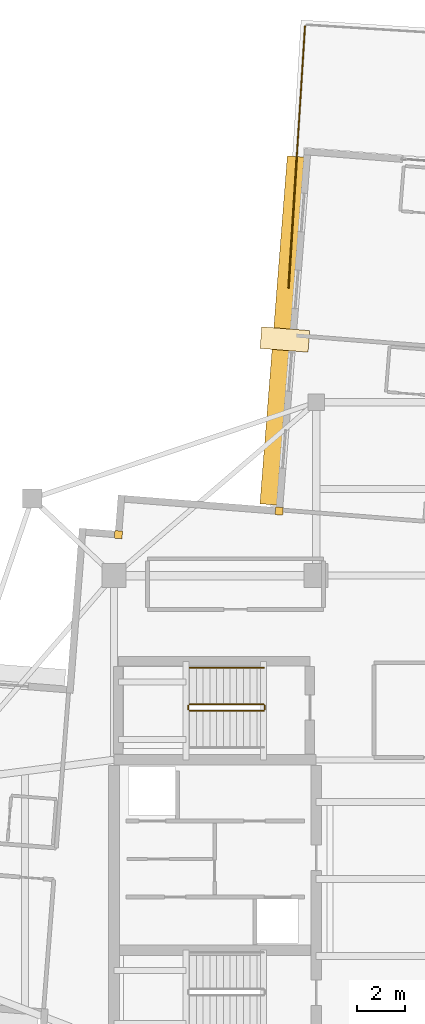
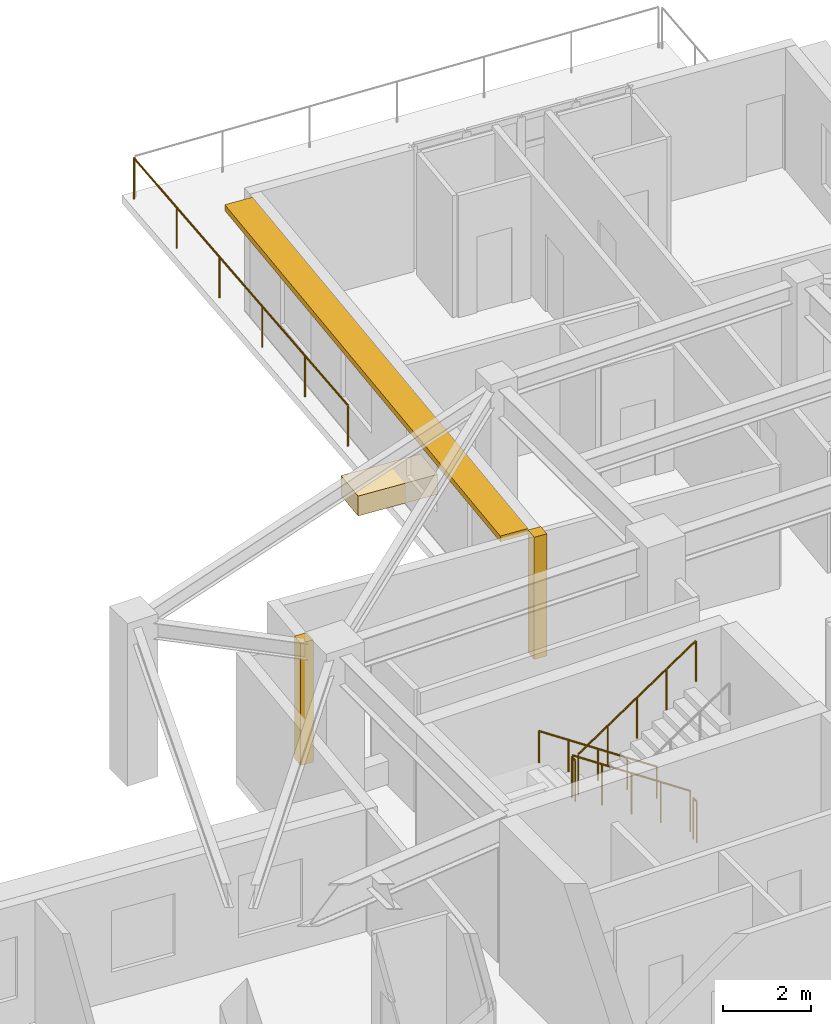
# One storey, part 22 of 23: 6 railings, 3 coverings, 1 shading device.
"""IFC4 building model written with IfcOpenShell, lengths in metres."""

from ifc_helpers import new_model, si_unit, direction, frame, origin, origin_2d, place, context, subcontext, project, spatial, rectangle, circle, extrude, material, layer, layer_set, type_object, element, save


model = new_model("IFC4")

# Units and contexts
model_context = context("Model", 3, precision=1e-05, world=origin(), true_north=direction((0.0, 1.0)))
body_context = subcontext(model_context, "Body", "Model", "MODEL_VIEW")
ifc_project = project(units=[si_unit("LENGTHUNIT", "METRE"), si_unit("AREAUNIT", "SQUARE_METRE"), si_unit("VOLUMEUNIT", "CUBIC_METRE"), si_unit("PLANEANGLEUNIT", "RADIAN"), si_unit("MASSUNIT", "GRAM", prefix="KILO")], contexts=[model_context])

# Site, building, storey
site_placement = place(None, origin())
site = spatial("IfcSite", under=ifc_project, at=site_placement, CompositionType="ELEMENT")
building_placement = place(site_placement, origin())
building = spatial("IfcBuilding", under=site, at=building_placement, Name="Qingluan Cross Belvedere", CompositionType="ELEMENT")
storey_placement = place(building_placement, frame((0.0, 0.0, 245.39990234375)))
storey = spatial("IfcBuildingStorey", under=building, at=storey_placement, Name="L61", CompositionType="ELEMENT", Elevation=245.39990234375)

# Coverings
ifc_material_1 = material(Name="Precast concrete C45", Category="concrete")
ifc_layer_1 = layer(ifc_material_1, 0.1201171875, Name="ConcreteSpandrelCladding_120")
ifc_layer_set_1 = layer_set([ifc_layer_1], Name="Precast concrete C45")
covering_type_1 = type_object("IfcCoveringType", Name="ConcreteSpandrelCladding_120", PredefinedType="CLADDING", material=ifc_layer_set_1)
for number, where, z_axis, x_axis, name in (
    (1, (-12.215576171875, 14.302490234375, 0.000244140625), (0.0, 0.0, 1.0), (0.996917333733, -0.078459095728, 0.0), "Corner closure L61-NW1"),
    (2, (-5.5380859375, 15.281494140625, 0.000244140625), (0.0, 0.0, 1.0), (0.996917333733, -0.078459095728, 0.0), "Corner closure L61-NW2"),
):
    element("IfcCovering", number, at=place(storey_placement, frame(where, z_axis=z_axis, x_axis=x_axis)), inside=storey, type_object=covering_type_1, Name=name, PredefinedType="CLADDING", context=body_context, shape_type="SweptSolid", body=[
        extrude(rectangle(XDim=0.320068359375, YDim=0.320068359375, at=origin_2d()), origin(), (0.0, 0.0, 1.0), 3.3798828125),
    ])

# Shading device
ifc_material_2 = material(Name="Precast concrete C45", Category="concrete")
ifc_layer_2 = layer(ifc_material_2, 0.139892578125, Name="ConcreteSunshadeBand_700")
ifc_layer_set_2 = layer_set([ifc_layer_2], Name="Precast concrete C45")
shading_device_type = type_object("IfcShadingDeviceType", Name="ConcreteSunshadeBand_700", PredefinedType="USERDEFINED", material=ifc_layer_set_2)
shading_device_placement = place(storey_placement, frame((-5.4189453125, 22.785400390625, 3.2001953125), z_axis=(0.0, 0.0, 1.0), x_axis=(-0.078455721862, -0.996917599256, 0.0)))
element("IfcShadingDevice", 3, at=shading_device_placement, inside=storey, type_object=shading_device_type, Name="Concrete SUNSHADE L61-NB", ObjectType="SUNSHADE", PredefinedType="USERDEFINED", context=body_context, shape_type="SweptSolid", body=[
    extrude(rectangle(XDim=14.5, YDim=0.699951171875, at=origin_2d()), origin(), (0.0, 0.0, 1.0), 0.159912109375),
])

# Railings
ifc_material_3 = material(Name="Brushed stainless steel tubular handrail", Category="steel")
railing_type_1 = type_object("IfcRailingType", Name="StairPitchHandrail_900", PredefinedType="HANDRAIL", material=ifc_material_3)
railing_1_placement = place(storey_placement, frame((-6.179931640625, 8.77001953125, 0.1875)))
element("IfcRailing", 4, at=railing_1_placement, inside=storey, type_object=railing_type_1, Name="L61 ST3 stair handrail 1", PredefinedType="HANDRAIL", context=body_context, shape_type="SweptSolid", body=[
    extrude(circle(Radius=0.02392578125, at=origin_2d()), frame((0.0, 0.0, 0.8759765625), z_axis=(-0.830913701846, 0.0, 0.55640131208), x_axis=(0.0, -1.0, 0.0)), (0.0, 0.0, 1.0), 3.706787109375),
    extrude(circle(Radius=0.02099609375, at=origin_2d()), origin(), (0.0, 0.0, 1.0), 0.851806640625),
    extrude(circle(Radius=0.02099609375, at=origin_2d()), frame((-0.77001953125, 0.0, 0.515625)), (0.0, 0.0, 1.0), 0.851806640625),
    extrude(circle(Radius=0.02099609375, at=origin_2d()), frame((-1.5400390625, 0.0, 1.03125)), (0.0, 0.0, 1.0), 0.851806640625),
    extrude(circle(Radius=0.02099609375, at=origin_2d()), frame((-2.31005859375, 0.0, 1.546875)), (0.0, 0.0, 1.0), 0.851806640625),
    extrude(circle(Radius=0.02099609375, at=origin_2d()), frame((-3.080078125, 0.0, 2.0625)), (0.0, 0.0, 1.0), 0.851806640625),
])
ifc_material_4 = material(Name="Painted steel stair well guard", Category="steel")
railing_type_2 = type_object("IfcRailingType", Name="StairWellGuard_1150", PredefinedType="BALUSTRADE", material=ifc_material_4)
railing_2_placement = place(storey_placement, frame((-6.179931640625, 7.25, 0.1875)))
element("IfcRailing", 5, at=railing_2_placement, inside=storey, type_object=railing_type_2, Name="L61 ST3 stair guard 1", PredefinedType="BALUSTRADE", context=body_context, shape_type="SweptSolid", body=[
    extrude(circle(Radius=0.02392578125, at=origin_2d()), frame((0.0, 0.0, 1.1259765625), z_axis=(-0.830913701846, 0.0, 0.55640131208), x_axis=(0.0, -1.0, 0.0)), (0.0, 0.0, 1.0), 3.706787109375),
    extrude(circle(Radius=0.02099609375, at=origin_2d()), origin(), (0.0, 0.0, 1.0), 1.101806640625),
    extrude(circle(Radius=0.02099609375, at=origin_2d()), frame((-0.77001953125, 0.0, 0.515625)), (0.0, 0.0, 1.0), 1.101806640625),
    extrude(circle(Radius=0.02099609375, at=origin_2d()), frame((-1.5400390625, 0.0, 1.03125)), (0.0, 0.0, 1.0), 1.101806640625),
    extrude(circle(Radius=0.02099609375, at=origin_2d()), frame((-2.31005859375, 0.0, 1.546875)), (0.0, 0.0, 1.0), 1.101806640625),
    extrude(circle(Radius=0.02099609375, at=origin_2d()), frame((-3.080078125, 0.0, 2.0625)), (0.0, 0.0, 1.0), 1.101806640625),
])
railing_3_placement = place(storey_placement, frame((-9.31005859375, 7.199951171875, 2.25)))
element("IfcRailing", 6, at=railing_3_placement, inside=storey, type_object=railing_type_2, Name="L61 ST3 stair guard 2", PredefinedType="BALUSTRADE", context=body_context, shape_type="SweptSolid", body=[
    extrude(circle(Radius=0.02392578125, at=origin_2d()), frame((0.0, 0.0, 1.1259765625), z_axis=(0.0, -1.0, 0.0), x_axis=(1.0, 0.0, 0.0)), (0.0, 0.0, 1.0), 0.159912109375),
    extrude(circle(Radius=0.02099609375, at=origin_2d()), origin(), (0.0, 0.0, 1.0), 1.101806640625),
    extrude(circle(Radius=0.02099609375, at=origin_2d()), frame((0.0, -0.159912109375, 0.0)), (0.0, 0.0, 1.0), 1.101806640625),
])
railing_4_placement = place(storey_placement, frame((-9.260009765625, 6.989990234375, 2.4375)))
element("IfcRailing", 7, at=railing_4_placement, inside=storey, type_object=railing_type_2, Name="L61 ST3 stair guard 3", PredefinedType="BALUSTRADE", context=body_context, shape_type="SweptSolid", body=[
    extrude(circle(Radius=0.02392578125, at=origin_2d()), frame((0.0, 0.0, 1.1259765625), z_axis=(0.830913701846, 0.0, 0.55640131208), x_axis=(0.0, 1.0, 0.0)), (0.0, 0.0, 1.0), 3.706787109375),
    extrude(circle(Radius=0.02099609375, at=origin_2d()), origin(), (0.0, 0.0, 1.0), 1.101806640625),
    extrude(circle(Radius=0.02099609375, at=origin_2d()), frame((0.77001953125, 0.0, 0.515625)), (0.0, 0.0, 1.0), 1.101806640625),
    extrude(circle(Radius=0.02099609375, at=origin_2d()), frame((1.5400390625, 0.0, 1.03125)), (0.0, 0.0, 1.0), 1.101806640625),
    extrude(circle(Radius=0.02099609375, at=origin_2d()), frame((2.31005859375, 0.0, 1.546875)), (0.0, 0.0, 1.0), 1.101806640625),
    extrude(circle(Radius=0.02099609375, at=origin_2d()), frame((3.080078125, 0.0, 2.0625)), (0.0, 0.0, 1.0), 1.101806640625),
])
railing_5_placement = place(storey_placement, frame((-6.1298828125, 7.199951171875, 0.0)))
element("IfcRailing", 8, at=railing_5_placement, inside=storey, type_object=railing_type_2, Name="L61 ST3 stair guard 4", PredefinedType="BALUSTRADE", context=body_context, shape_type="SweptSolid", body=[
    extrude(circle(Radius=0.02392578125, at=origin_2d()), frame((0.0, 0.0, 1.1259765625), z_axis=(0.0, -1.0, 0.0), x_axis=(1.0, 0.0, 0.0)), (0.0, 0.0, 1.0), 0.159912109375),
    extrude(circle(Radius=0.02099609375, at=origin_2d()), origin(), (0.0, 0.0, 1.0), 1.101806640625),
    extrude(circle(Radius=0.02099609375, at=origin_2d()), frame((0.0, -0.159912109375, 0.0)), (0.0, 0.0, 1.0), 1.101806640625),
])
ifc_material_5 = material(Name="Laminated glass and stainless steel balustrade", Category="steel")
railing_type_3 = type_object("IfcRailingType", Name="TerraceGuardBalustrade_1150", PredefinedType="BALUSTRADE", material=ifc_material_5)
railing_6_placement = place(storey_placement, frame((-5.148681640625, 24.548828125, 0.0)))
element("IfcRailing", 9, at=railing_6_placement, inside=storey, type_object=railing_type_3, Name="Terrace guard L61-1", PredefinedType="BALUSTRADE", context=body_context, shape_type="SweptSolid", body=[
    extrude(circle(Radius=0.02392578125, at=origin_2d()), frame((0.0, 0.0, 1.1259765625), z_axis=(0.062788139251, 0.99802687818, 0.0), x_axis=(-0.99802687818, 0.062788139251, 0.0)), (0.0, 0.0, 1.0), 10.90283203125),
    extrude(circle(Radius=0.02099609375, at=origin_2d()), origin(), (0.0, 0.0, 1.0), 1.101806640625),
    extrude(circle(Radius=0.02099609375, at=origin_2d()), frame((0.136962890625, 2.17626953125, 0.0)), (0.0, 0.0, 1.0), 1.101806640625),
    extrude(circle(Radius=0.02099609375, at=origin_2d()), frame((0.27392578125, 4.3525390625, 0.0)), (0.0, 0.0, 1.0), 1.101806640625),
    extrude(circle(Radius=0.02099609375, at=origin_2d()), frame((0.41064453125, 6.52880859375, 0.0)), (0.0, 0.0, 1.0), 1.101806640625),
    extrude(circle(Radius=0.02099609375, at=origin_2d()), frame((0.547607421875, 8.705078125, 0.0)), (0.0, 0.0, 1.0), 1.101806640625),
    extrude(circle(Radius=0.02099609375, at=origin_2d()), frame((0.6845703125, 10.88134765625, 0.0)), (0.0, 0.0, 1.0), 1.101806640625),
])

# Covering
ifc_material_6 = material(Name="Precast concrete C40", Category="concrete")
ifc_layer_3 = layer(ifc_material_6, 0.550048828125, Name="TerracePlanterBox")
ifc_layer_set_3 = layer_set([ifc_layer_3], Name="Precast concrete C40")
covering_type_2 = type_object("IfcCoveringType", Name="TerracePlanterBox", PredefinedType="USERDEFINED", material=ifc_layer_set_3)
covering_placement = place(storey_placement, frame((-5.300048828125, 22.407958984375, 0.0), z_axis=(0.0, 0.0, 1.0), x_axis=(0.996917333733, -0.078459095728, 0.0)))
element("IfcCovering", 10, at=covering_placement, inside=storey, type_object=covering_type_2, Name="Terrace garden planter L61-2", ObjectType="PLANTER", PredefinedType="USERDEFINED", context=body_context, shape_type="SweptSolid", body=[
    extrude(rectangle(XDim=2.0, YDim=0.89990234375, at=origin_2d()), origin(), (0.0, 0.0, 1.0), 0.550048828125),
])

save(model, "model.ifc")
